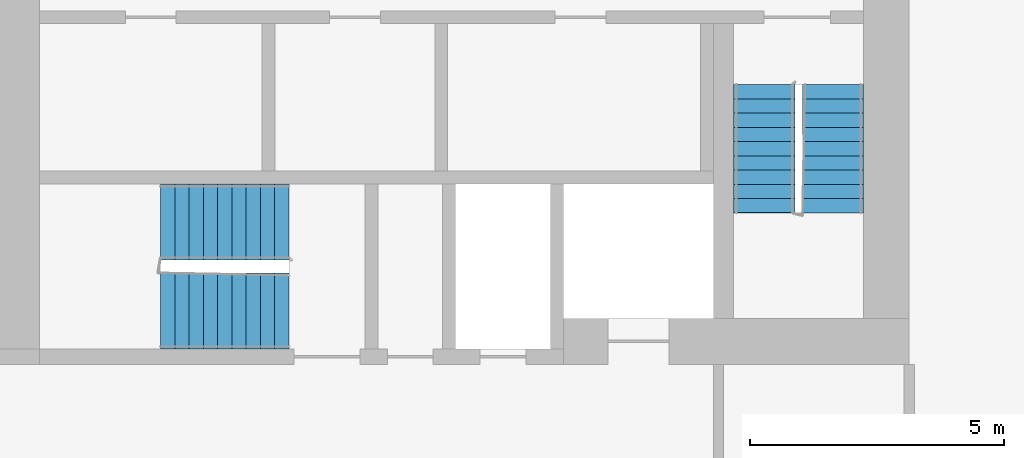
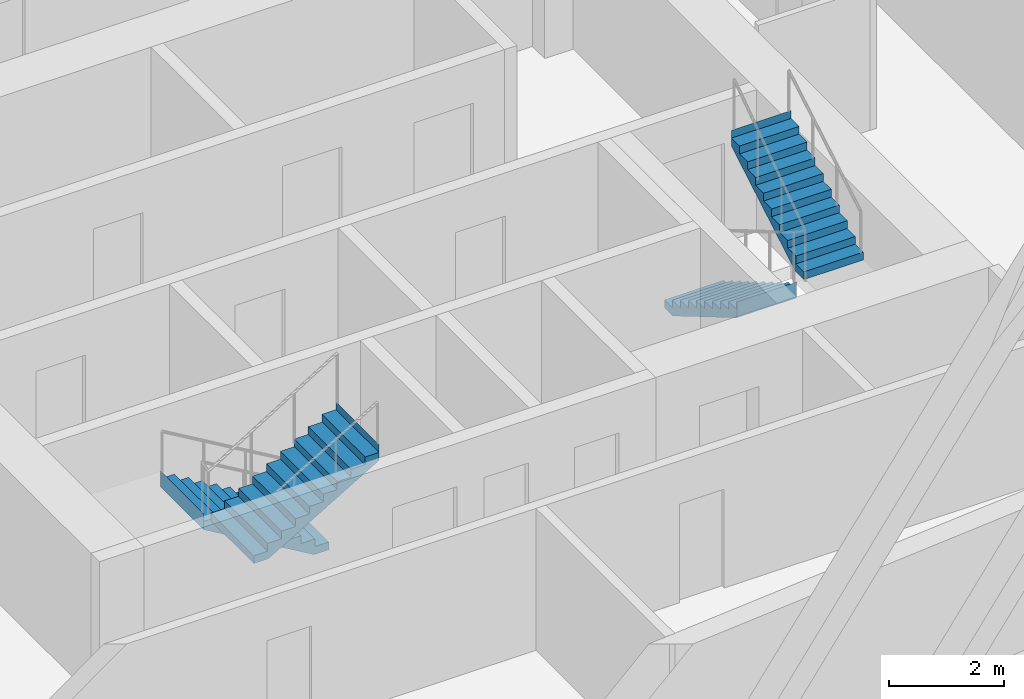
# One storey, part 9 of 13: 4 stair flights, 2 elements without a shape of their own.
"""IFC4 building model written with IfcOpenShell, lengths in metres."""

from ifc_helpers import new_model, si_unit, direction, frame, origin, place, context, subcontext, project, spatial, faceted_brep, material, type_object, element, aggregate, save


model = new_model("IFC4")

# Units and contexts
model_context = context("Model", 3, precision=1e-05, world=origin(), true_north=direction((0.0, 1.0)))
body_context = subcontext(model_context, "Body", "Model", "MODEL_VIEW")
ifc_project = project(units=[si_unit("LENGTHUNIT", "METRE"), si_unit("AREAUNIT", "SQUARE_METRE"), si_unit("VOLUMEUNIT", "CUBIC_METRE"), si_unit("PLANEANGLEUNIT", "RADIAN"), si_unit("MASSUNIT", "GRAM", prefix="KILO")], contexts=[model_context])

# Site, building, storey
site_placement = place(None, origin())
site = spatial("IfcSite", under=ifc_project, at=site_placement, CompositionType="ELEMENT")
building_placement = place(site_placement, origin())
building = spatial("IfcBuilding", under=site, at=building_placement, Name="Kajstack Hotel Tower", CompositionType="ELEMENT")
storey_placement = place(building_placement, frame((0.0, 0.0, 298.199951171875)))
storey = spatial("IfcBuildingStorey", under=building, at=storey_placement, Name="L75", CompositionType="ELEMENT", Elevation=298.199951171875)

# Stair, stair flights
ifc_material = material(Name="Concrete C40/50", Category="concrete")
stair_type_1 = type_object("IfcStairType", Name="Exit stair 1200", PredefinedType="HALF_TURN_STAIR", material=ifc_material)
stair_1_placement = place(storey_placement, origin())
stair_1 = element("IfcStair", 1, at=stair_1_placement, inside=storey, type_object=stair_type_1, Name="L75 stair W2", PredefinedType="HALF_TURN_STAIR")
stair_flight_type_1 = type_object("IfcStairFlightType", Name="Exit stair flight 1200", PredefinedType="STRAIGHT", material=ifc_material)
stair_flight_1_placement = place(storey_placement, frame((-16.35009765625, -10.0, 0.0), z_axis=(0.0, 0.0, 1.0), x_axis=(0.0, -1.0, 0.0)))
stair_flight_1 = element("IfcStairFlight", 2, at=stair_flight_1_placement, type_object=stair_flight_type_1, Name="W2 flight 1", NumberOfRisers=10, NumberOfTreads=9, PredefinedType="STRAIGHT", RiserHeight=0.165, TreadLength=0.28, context=body_context, shape_type="Brep", body=[
    faceted_brep([(0.295654296875, -0.60009765625, 0.0), (2.5205078125, -0.60009765625, 1.31103515625), (2.5205078125, -0.60009765625, 1.64990234375), (2.52001953125, -0.60009765625, 1.64990234375), (2.52001953125, -0.60009765625, 1.485107421875), (2.239990234375, -0.60009765625, 1.485107421875), (2.239990234375, -0.60009765625, 1.320068359375), (1.9599609375, -0.60009765625, 1.320068359375), (1.9599609375, -0.60009765625, 1.155029296875), (1.679931640625, -0.60009765625, 1.155029296875), (1.679931640625, -0.60009765625, 0.989990234375), (1.39990234375, -0.60009765625, 0.989990234375), (1.39990234375, -0.60009765625, 0.824951171875), (1.1201171875, -0.60009765625, 0.824951171875), (1.1201171875, -0.60009765625, 0.659912109375), (0.840087890625, -0.60009765625, 0.659912109375), (0.840087890625, -0.60009765625, 0.4951171875), (0.56005859375, -0.60009765625, 0.4951171875), (0.56005859375, -0.60009765625, 0.330078125), (0.280029296875, -0.60009765625, 0.330078125), (0.280029296875, -0.60009765625, 0.1650390625), (-0.00048828125, -0.60009765625, 0.1650390625), (-0.00048828125, -0.60009765625, 0.0), (-0.00048828125, 0.60009765625, 0.0), (-0.00048828125, 0.60009765625, 0.1650390625), (0.280029296875, 0.60009765625, 0.1650390625), (0.280029296875, 0.60009765625, 0.330078125), (0.56005859375, 0.60009765625, 0.330078125), (0.56005859375, 0.60009765625, 0.4951171875), (0.840087890625, 0.60009765625, 0.4951171875), (0.840087890625, 0.60009765625, 0.659912109375), (1.1201171875, 0.60009765625, 0.659912109375), (1.1201171875, 0.60009765625, 0.824951171875), (1.39990234375, 0.60009765625, 0.824951171875), (1.39990234375, 0.60009765625, 0.989990234375), (1.679931640625, 0.60009765625, 0.989990234375), (1.679931640625, 0.60009765625, 1.155029296875), (1.9599609375, 0.60009765625, 1.155029296875), (1.9599609375, 0.60009765625, 1.320068359375), (2.239990234375, 0.60009765625, 1.320068359375), (2.239990234375, 0.60009765625, 1.485107421875), (2.52001953125, 0.60009765625, 1.485107421875), (2.52001953125, 0.60009765625, 1.64990234375), (2.5205078125, 0.60009765625, 1.64990234375), (2.5205078125, 0.60009765625, 1.31103515625), (0.295654296875, 0.60009765625, 0.0), (-0.00048828125, -0.300048828125, 0.1650390625), (-0.00048828125, 0.0, 0.1650390625), (-0.00048828125, 0.300048828125, 0.1650390625), (-0.00048828125, 0.300048828125, 0.0), (-0.00048828125, 0.0, 0.0), (-0.00048828125, -0.300048828125, 0.0), (0.280029296875, -0.300048828125, 0.1650390625), (0.280029296875, 0.0, 0.1650390625), (0.280029296875, 0.300048828125, 0.1650390625), (0.280029296875, -0.300048828125, 0.330078125), (0.280029296875, 0.0, 0.330078125), (0.280029296875, 0.300048828125, 0.330078125), (0.56005859375, -0.300048828125, 0.330078125), (0.56005859375, 0.0, 0.330078125), (0.56005859375, 0.300048828125, 0.330078125), (0.56005859375, -0.300048828125, 0.4951171875), (0.56005859375, 0.0, 0.4951171875), (0.56005859375, 0.300048828125, 0.4951171875), (0.840087890625, -0.300048828125, 0.4951171875), (0.840087890625, 0.0, 0.4951171875), (0.840087890625, 0.300048828125, 0.4951171875), (0.840087890625, -0.300048828125, 0.659912109375), (0.840087890625, 0.0, 0.659912109375), (0.840087890625, 0.300048828125, 0.659912109375), (1.1201171875, -0.300048828125, 0.659912109375), (1.1201171875, 0.0, 0.659912109375), (1.1201171875, 0.300048828125, 0.659912109375), (1.1201171875, -0.300048828125, 0.824951171875), (1.1201171875, 0.0, 0.824951171875), (1.1201171875, 0.300048828125, 0.824951171875), (1.39990234375, -0.300048828125, 0.824951171875), (1.39990234375, 0.0, 0.824951171875), (1.39990234375, 0.300048828125, 0.824951171875), (1.39990234375, -0.300048828125, 0.989990234375), (1.39990234375, 0.0, 0.989990234375), (1.39990234375, 0.300048828125, 0.989990234375), (1.679931640625, -0.300048828125, 0.989990234375), (1.679931640625, 0.0, 0.989990234375), (1.679931640625, 0.300048828125, 0.989990234375), (1.679931640625, -0.300048828125, 1.155029296875), (1.679931640625, 0.0, 1.155029296875), (1.679931640625, 0.300048828125, 1.155029296875), (1.9599609375, -0.300048828125, 1.155029296875), (1.9599609375, 0.0, 1.155029296875), (1.9599609375, 0.300048828125, 1.155029296875), (1.9599609375, -0.300048828125, 1.320068359375), (1.9599609375, 0.0, 1.320068359375), (1.9599609375, 0.300048828125, 1.320068359375), (2.239990234375, -0.300048828125, 1.320068359375), (2.239990234375, 0.0, 1.320068359375), (2.239990234375, 0.300048828125, 1.320068359375), (2.239990234375, -0.300048828125, 1.485107421875), (2.239990234375, 0.0, 1.485107421875), (2.239990234375, 0.300048828125, 1.485107421875), (2.52001953125, -0.300048828125, 1.485107421875), (2.52001953125, 0.0, 1.485107421875), (2.52001953125, 0.300048828125, 1.485107421875), (2.52001953125, -0.300048828125, 1.64990234375), (2.52001953125, 0.0, 1.64990234375), (2.52001953125, 0.300048828125, 1.64990234375), (2.5205078125, -0.300048828125, 1.64990234375), (2.5205078125, 0.0, 1.64990234375), (2.5205078125, 0.300048828125, 1.64990234375), (2.5205078125, -0.300048828125, 1.31103515625), (2.5205078125, 0.0, 1.31103515625), (2.5205078125, 0.300048828125, 1.31103515625), (0.295654296875, -0.300048828125, 0.0), (0.295654296875, 0.0, 0.0), (0.295654296875, 0.300048828125, 0.0)], [[[0, 1, 2, 3, 4, 5, 6, 7, 8, 9, 10, 11, 12, 13, 14, 15, 16, 17, 18, 19, 20, 21, 22]], [[23, 24, 25, 26, 27, 28, 29, 30, 31, 32, 33, 34, 35, 36, 37, 38, 39, 40, 41, 42, 43, 44, 45]], [[21, 46, 47, 48, 24, 23, 49, 50, 51, 22]], [[20, 52, 53, 54, 25, 24, 48, 47, 46, 21]], [[19, 55, 56, 57, 26, 25, 54, 53, 52, 20]], [[18, 58, 59, 60, 27, 26, 57, 56, 55, 19]], [[17, 61, 62, 63, 28, 27, 60, 59, 58, 18]], [[16, 64, 65, 66, 29, 28, 63, 62, 61, 17]], [[15, 67, 68, 69, 30, 29, 66, 65, 64, 16]], [[14, 70, 71, 72, 31, 30, 69, 68, 67, 15]], [[13, 73, 74, 75, 32, 31, 72, 71, 70, 14]], [[12, 76, 77, 78, 33, 32, 75, 74, 73, 13]], [[11, 79, 80, 81, 34, 33, 78, 77, 76, 12]], [[10, 82, 83, 84, 35, 34, 81, 80, 79, 11]], [[9, 85, 86, 87, 36, 35, 84, 83, 82, 10]], [[8, 88, 89, 90, 37, 36, 87, 86, 85, 9]], [[7, 91, 92, 93, 38, 37, 90, 89, 88, 8]], [[6, 94, 95, 96, 39, 38, 93, 92, 91, 7]], [[5, 97, 98, 99, 40, 39, 96, 95, 94, 6]], [[4, 100, 101, 102, 41, 40, 99, 98, 97, 5]], [[3, 103, 104, 105, 42, 41, 102, 101, 100, 4]], [[2, 106, 107, 108, 43, 42, 105, 104, 103, 3]], [[1, 109, 110, 111, 44, 43, 108, 107, 106, 2]], [[0, 112, 113, 114, 45, 44, 111, 110, 109, 1]], [[22, 51, 50, 49, 23, 45, 114, 113, 112, 0]]]),
])
stair_flight_2_placement = place(storey_placement, frame((-15.0, -12.52001953125, 1.650146484375), z_axis=(0.0, 0.0, 1.0), x_axis=(0.0, 1.0, 0.0)))
stair_flight_2 = element("IfcStairFlight", 3, at=stair_flight_2_placement, type_object=stair_flight_type_1, Name="W2 flight 2", NumberOfRisers=10, NumberOfTreads=9, PredefinedType="STRAIGHT", RiserHeight=0.165, TreadLength=0.28, context=body_context, shape_type="Brep", body=[
    faceted_brep([(0.295654296875, -0.60009765625, 0.0), (2.5205078125, -0.60009765625, 1.31103515625), (2.5205078125, -0.60009765625, 1.64990234375), (2.52001953125, -0.60009765625, 1.64990234375), (2.52001953125, -0.60009765625, 1.485107421875), (2.239990234375, -0.60009765625, 1.485107421875), (2.239990234375, -0.60009765625, 1.320068359375), (1.9599609375, -0.60009765625, 1.320068359375), (1.9599609375, -0.60009765625, 1.155029296875), (1.679931640625, -0.60009765625, 1.155029296875), (1.679931640625, -0.60009765625, 0.989990234375), (1.39990234375, -0.60009765625, 0.989990234375), (1.39990234375, -0.60009765625, 0.824951171875), (1.1201171875, -0.60009765625, 0.824951171875), (1.1201171875, -0.60009765625, 0.659912109375), (0.840087890625, -0.60009765625, 0.659912109375), (0.840087890625, -0.60009765625, 0.4951171875), (0.56005859375, -0.60009765625, 0.4951171875), (0.56005859375, -0.60009765625, 0.330078125), (0.280029296875, -0.60009765625, 0.330078125), (0.280029296875, -0.60009765625, 0.1650390625), (-0.00048828125, -0.60009765625, 0.1650390625), (-0.00048828125, -0.60009765625, 0.0), (-0.00048828125, 0.60009765625, 0.0), (-0.00048828125, 0.60009765625, 0.1650390625), (0.280029296875, 0.60009765625, 0.1650390625), (0.280029296875, 0.60009765625, 0.330078125), (0.56005859375, 0.60009765625, 0.330078125), (0.56005859375, 0.60009765625, 0.4951171875), (0.840087890625, 0.60009765625, 0.4951171875), (0.840087890625, 0.60009765625, 0.659912109375), (1.1201171875, 0.60009765625, 0.659912109375), (1.1201171875, 0.60009765625, 0.824951171875), (1.39990234375, 0.60009765625, 0.824951171875), (1.39990234375, 0.60009765625, 0.989990234375), (1.679931640625, 0.60009765625, 0.989990234375), (1.679931640625, 0.60009765625, 1.155029296875), (1.9599609375, 0.60009765625, 1.155029296875), (1.9599609375, 0.60009765625, 1.320068359375), (2.239990234375, 0.60009765625, 1.320068359375), (2.239990234375, 0.60009765625, 1.485107421875), (2.52001953125, 0.60009765625, 1.485107421875), (2.52001953125, 0.60009765625, 1.64990234375), (2.5205078125, 0.60009765625, 1.64990234375), (2.5205078125, 0.60009765625, 1.31103515625), (0.295654296875, 0.60009765625, 0.0), (-0.00048828125, -0.300048828125, 0.1650390625), (-0.00048828125, 0.0, 0.1650390625), (-0.00048828125, 0.300048828125, 0.1650390625), (-0.00048828125, 0.300048828125, 0.0), (-0.00048828125, 0.0, 0.0), (-0.00048828125, -0.300048828125, 0.0), (0.280029296875, -0.300048828125, 0.1650390625), (0.280029296875, 0.0, 0.1650390625), (0.280029296875, 0.300048828125, 0.1650390625), (0.280029296875, -0.300048828125, 0.330078125), (0.280029296875, 0.0, 0.330078125), (0.280029296875, 0.300048828125, 0.330078125), (0.56005859375, -0.300048828125, 0.330078125), (0.56005859375, 0.0, 0.330078125), (0.56005859375, 0.300048828125, 0.330078125), (0.56005859375, -0.300048828125, 0.4951171875), (0.56005859375, 0.0, 0.4951171875), (0.56005859375, 0.300048828125, 0.4951171875), (0.840087890625, -0.300048828125, 0.4951171875), (0.840087890625, 0.0, 0.4951171875), (0.840087890625, 0.300048828125, 0.4951171875), (0.840087890625, -0.300048828125, 0.659912109375), (0.840087890625, 0.0, 0.659912109375), (0.840087890625, 0.300048828125, 0.659912109375), (1.1201171875, -0.300048828125, 0.659912109375), (1.1201171875, 0.0, 0.659912109375), (1.1201171875, 0.300048828125, 0.659912109375), (1.1201171875, -0.300048828125, 0.824951171875), (1.1201171875, 0.0, 0.824951171875), (1.1201171875, 0.300048828125, 0.824951171875), (1.39990234375, -0.300048828125, 0.824951171875), (1.39990234375, 0.0, 0.824951171875), (1.39990234375, 0.300048828125, 0.824951171875), (1.39990234375, -0.300048828125, 0.989990234375), (1.39990234375, 0.0, 0.989990234375), (1.39990234375, 0.300048828125, 0.989990234375), (1.679931640625, -0.300048828125, 0.989990234375), (1.679931640625, 0.0, 0.989990234375), (1.679931640625, 0.300048828125, 0.989990234375), (1.679931640625, -0.300048828125, 1.155029296875), (1.679931640625, 0.0, 1.155029296875), (1.679931640625, 0.300048828125, 1.155029296875), (1.9599609375, -0.300048828125, 1.155029296875), (1.9599609375, 0.0, 1.155029296875), (1.9599609375, 0.300048828125, 1.155029296875), (1.9599609375, -0.300048828125, 1.320068359375), (1.9599609375, 0.0, 1.320068359375), (1.9599609375, 0.300048828125, 1.320068359375), (2.239990234375, -0.300048828125, 1.320068359375), (2.239990234375, 0.0, 1.320068359375), (2.239990234375, 0.300048828125, 1.320068359375), (2.239990234375, -0.300048828125, 1.485107421875), (2.239990234375, 0.0, 1.485107421875), (2.239990234375, 0.300048828125, 1.485107421875), (2.52001953125, -0.300048828125, 1.485107421875), (2.52001953125, 0.0, 1.485107421875), (2.52001953125, 0.300048828125, 1.485107421875), (2.52001953125, -0.300048828125, 1.64990234375), (2.52001953125, 0.0, 1.64990234375), (2.52001953125, 0.300048828125, 1.64990234375), (2.5205078125, -0.300048828125, 1.64990234375), (2.5205078125, 0.0, 1.64990234375), (2.5205078125, 0.300048828125, 1.64990234375), (2.5205078125, -0.300048828125, 1.31103515625), (2.5205078125, 0.0, 1.31103515625), (2.5205078125, 0.300048828125, 1.31103515625), (0.295654296875, -0.300048828125, 0.0), (0.295654296875, 0.0, 0.0), (0.295654296875, 0.300048828125, 0.0)], [[[0, 1, 2, 3, 4, 5, 6, 7, 8, 9, 10, 11, 12, 13, 14, 15, 16, 17, 18, 19, 20, 21, 22]], [[23, 24, 25, 26, 27, 28, 29, 30, 31, 32, 33, 34, 35, 36, 37, 38, 39, 40, 41, 42, 43, 44, 45]], [[21, 46, 47, 48, 24, 23, 49, 50, 51, 22]], [[20, 52, 53, 54, 25, 24, 48, 47, 46, 21]], [[19, 55, 56, 57, 26, 25, 54, 53, 52, 20]], [[18, 58, 59, 60, 27, 26, 57, 56, 55, 19]], [[17, 61, 62, 63, 28, 27, 60, 59, 58, 18]], [[16, 64, 65, 66, 29, 28, 63, 62, 61, 17]], [[15, 67, 68, 69, 30, 29, 66, 65, 64, 16]], [[14, 70, 71, 72, 31, 30, 69, 68, 67, 15]], [[13, 73, 74, 75, 32, 31, 72, 71, 70, 14]], [[12, 76, 77, 78, 33, 32, 75, 74, 73, 13]], [[11, 79, 80, 81, 34, 33, 78, 77, 76, 12]], [[10, 82, 83, 84, 35, 34, 81, 80, 79, 11]], [[9, 85, 86, 87, 36, 35, 84, 83, 82, 10]], [[8, 88, 89, 90, 37, 36, 87, 86, 85, 9]], [[7, 91, 92, 93, 38, 37, 90, 89, 88, 8]], [[6, 94, 95, 96, 39, 38, 93, 92, 91, 7]], [[5, 97, 98, 99, 40, 39, 96, 95, 94, 6]], [[4, 100, 101, 102, 41, 40, 99, 98, 97, 5]], [[3, 103, 104, 105, 42, 41, 102, 101, 100, 4]], [[2, 106, 107, 108, 43, 42, 105, 104, 103, 3]], [[1, 109, 110, 111, 44, 43, 108, 107, 106, 2]], [[0, 112, 113, 114, 45, 44, 111, 110, 109, 1]], [[22, 51, 50, 49, 23, 45, 114, 113, 112, 0]]]),
])
aggregate(stair_1, [stair_flight_1, stair_flight_2])

stair_type_2 = type_object("IfcStairType", Name="Exit stair 1500", PredefinedType="HALF_TURN_STAIR", material=ifc_material)
stair_2_placement = place(storey_placement, origin())
stair_2 = element("IfcStair", 4, at=stair_2_placement, inside=storey, type_object=stair_type_2, Name="L75 stair W3", PredefinedType="HALF_TURN_STAIR")
stair_flight_type_2 = type_object("IfcStairFlightType", Name="Exit stair flight 1500", PredefinedType="STRAIGHT", material=ifc_material)
stair_flight_3_placement = place(storey_placement, frame((-25.699951171875, -12.699951171875, 0.0), z_axis=(0.0, 0.0, 1.0), x_axis=(-1.0, 0.0, 0.0)))
stair_flight_3 = element("IfcStairFlight", 5, at=stair_flight_3_placement, type_object=stair_flight_type_2, Name="W3 flight 1", NumberOfRisers=10, NumberOfTreads=9, PredefinedType="STRAIGHT", RiserHeight=0.165, TreadLength=0.28, context=body_context, shape_type="Brep", body=[
    faceted_brep([(0.295654296875, -0.75, 0.0), (2.5205078125, -0.75, 1.31103515625), (2.5205078125, -0.75, 1.64990234375), (2.52001953125, -0.75, 1.64990234375), (2.52001953125, -0.75, 1.485107421875), (2.239990234375, -0.75, 1.485107421875), (2.239990234375, -0.75, 1.320068359375), (1.9599609375, -0.75, 1.320068359375), (1.9599609375, -0.75, 1.155029296875), (1.679931640625, -0.75, 1.155029296875), (1.679931640625, -0.75, 0.989990234375), (1.39990234375, -0.75, 0.989990234375), (1.39990234375, -0.75, 0.824951171875), (1.1201171875, -0.75, 0.824951171875), (1.1201171875, -0.75, 0.659912109375), (0.840087890625, -0.75, 0.659912109375), (0.840087890625, -0.75, 0.4951171875), (0.56005859375, -0.75, 0.4951171875), (0.56005859375, -0.75, 0.330078125), (0.280029296875, -0.75, 0.330078125), (0.280029296875, -0.75, 0.1650390625), (-0.00048828125, -0.75, 0.1650390625), (-0.00048828125, -0.75, 0.0), (-0.00048828125, 0.75, 0.0), (-0.00048828125, 0.75, 0.1650390625), (0.280029296875, 0.75, 0.1650390625), (0.280029296875, 0.75, 0.330078125), (0.56005859375, 0.75, 0.330078125), (0.56005859375, 0.75, 0.4951171875), (0.840087890625, 0.75, 0.4951171875), (0.840087890625, 0.75, 0.659912109375), (1.1201171875, 0.75, 0.659912109375), (1.1201171875, 0.75, 0.824951171875), (1.39990234375, 0.75, 0.824951171875), (1.39990234375, 0.75, 0.989990234375), (1.679931640625, 0.75, 0.989990234375), (1.679931640625, 0.75, 1.155029296875), (1.9599609375, 0.75, 1.155029296875), (1.9599609375, 0.75, 1.320068359375), (2.239990234375, 0.75, 1.320068359375), (2.239990234375, 0.75, 1.485107421875), (2.52001953125, 0.75, 1.485107421875), (2.52001953125, 0.75, 1.64990234375), (2.5205078125, 0.75, 1.64990234375), (2.5205078125, 0.75, 1.31103515625), (0.295654296875, 0.75, 0.0), (-0.00048828125, -0.375, 0.1650390625), (-0.00048828125, 0.0, 0.1650390625), (-0.00048828125, 0.375, 0.1650390625), (-0.00048828125, 0.375, 0.0), (-0.00048828125, 0.0, 0.0), (-0.00048828125, -0.375, 0.0), (0.280029296875, -0.375, 0.1650390625), (0.280029296875, 0.0, 0.1650390625), (0.280029296875, 0.375, 0.1650390625), (0.280029296875, -0.375, 0.330078125), (0.280029296875, 0.0, 0.330078125), (0.280029296875, 0.375, 0.330078125), (0.56005859375, -0.375, 0.330078125), (0.56005859375, 0.0, 0.330078125), (0.56005859375, 0.375, 0.330078125), (0.56005859375, -0.375, 0.4951171875), (0.56005859375, 0.0, 0.4951171875), (0.56005859375, 0.375, 0.4951171875), (0.840087890625, -0.375, 0.4951171875), (0.840087890625, 0.0, 0.4951171875), (0.840087890625, 0.375, 0.4951171875), (0.840087890625, -0.375, 0.659912109375), (0.840087890625, 0.0, 0.659912109375), (0.840087890625, 0.375, 0.659912109375), (1.1201171875, -0.375, 0.659912109375), (1.1201171875, 0.0, 0.659912109375), (1.1201171875, 0.375, 0.659912109375), (1.1201171875, -0.375, 0.824951171875), (1.1201171875, 0.0, 0.824951171875), (1.1201171875, 0.375, 0.824951171875), (1.39990234375, -0.375, 0.824951171875), (1.39990234375, 0.0, 0.824951171875), (1.39990234375, 0.375, 0.824951171875), (1.39990234375, -0.375, 0.989990234375), (1.39990234375, 0.0, 0.989990234375), (1.39990234375, 0.375, 0.989990234375), (1.679931640625, -0.375, 0.989990234375), (1.679931640625, 0.0, 0.989990234375), (1.679931640625, 0.375, 0.989990234375), (1.679931640625, -0.375, 1.155029296875), (1.679931640625, 0.0, 1.155029296875), (1.679931640625, 0.375, 1.155029296875), (1.9599609375, -0.375, 1.155029296875), (1.9599609375, 0.0, 1.155029296875), (1.9599609375, 0.375, 1.155029296875), (1.9599609375, -0.375, 1.320068359375), (1.9599609375, 0.0, 1.320068359375), (1.9599609375, 0.375, 1.320068359375), (2.239990234375, -0.375, 1.320068359375), (2.239990234375, 0.0, 1.320068359375), (2.239990234375, 0.375, 1.320068359375), (2.239990234375, -0.375, 1.485107421875), (2.239990234375, 0.0, 1.485107421875), (2.239990234375, 0.375, 1.485107421875), (2.52001953125, -0.375, 1.485107421875), (2.52001953125, 0.0, 1.485107421875), (2.52001953125, 0.375, 1.485107421875), (2.52001953125, -0.375, 1.64990234375), (2.52001953125, 0.0, 1.64990234375), (2.52001953125, 0.375, 1.64990234375), (2.5205078125, -0.375, 1.64990234375), (2.5205078125, 0.0, 1.64990234375), (2.5205078125, 0.375, 1.64990234375), (2.5205078125, -0.375, 1.31103515625), (2.5205078125, 0.0, 1.31103515625), (2.5205078125, 0.375, 1.31103515625), (0.295654296875, -0.375, 0.0), (0.295654296875, 0.0, 0.0), (0.295654296875, 0.375, 0.0)], [[[0, 1, 2, 3, 4, 5, 6, 7, 8, 9, 10, 11, 12, 13, 14, 15, 16, 17, 18, 19, 20, 21, 22]], [[23, 24, 25, 26, 27, 28, 29, 30, 31, 32, 33, 34, 35, 36, 37, 38, 39, 40, 41, 42, 43, 44, 45]], [[21, 46, 47, 48, 24, 23, 49, 50, 51, 22]], [[20, 52, 53, 54, 25, 24, 48, 47, 46, 21]], [[19, 55, 56, 57, 26, 25, 54, 53, 52, 20]], [[18, 58, 59, 60, 27, 26, 57, 56, 55, 19]], [[17, 61, 62, 63, 28, 27, 60, 59, 58, 18]], [[16, 64, 65, 66, 29, 28, 63, 62, 61, 17]], [[15, 67, 68, 69, 30, 29, 66, 65, 64, 16]], [[14, 70, 71, 72, 31, 30, 69, 68, 67, 15]], [[13, 73, 74, 75, 32, 31, 72, 71, 70, 14]], [[12, 76, 77, 78, 33, 32, 75, 74, 73, 13]], [[11, 79, 80, 81, 34, 33, 78, 77, 76, 12]], [[10, 82, 83, 84, 35, 34, 81, 80, 79, 11]], [[9, 85, 86, 87, 36, 35, 84, 83, 82, 10]], [[8, 88, 89, 90, 37, 36, 87, 86, 85, 9]], [[7, 91, 92, 93, 38, 37, 90, 89, 88, 8]], [[6, 94, 95, 96, 39, 38, 93, 92, 91, 7]], [[5, 97, 98, 99, 40, 39, 96, 95, 94, 6]], [[4, 100, 101, 102, 41, 40, 99, 98, 97, 5]], [[3, 103, 104, 105, 42, 41, 102, 101, 100, 4]], [[2, 106, 107, 108, 43, 42, 105, 104, 103, 3]], [[1, 109, 110, 111, 44, 43, 108, 107, 106, 2]], [[0, 112, 113, 114, 45, 44, 111, 110, 109, 1]], [[22, 51, 50, 49, 23, 45, 114, 113, 112, 0]]]),
])
stair_flight_4_placement = place(storey_placement, frame((-28.219970703125, -14.449951171875, 1.650146484375), z_axis=(0.0, 0.0, 1.0), x_axis=(1.0, 0.0, 0.0)))
stair_flight_4 = element("IfcStairFlight", 6, at=stair_flight_4_placement, type_object=stair_flight_type_2, Name="W3 flight 2", NumberOfRisers=10, NumberOfTreads=9, PredefinedType="STRAIGHT", RiserHeight=0.165, TreadLength=0.28, context=body_context, shape_type="Brep", body=[
    faceted_brep([(0.295654296875, -0.75, 0.0), (2.5205078125, -0.75, 1.31103515625), (2.5205078125, -0.75, 1.64990234375), (2.52001953125, -0.75, 1.64990234375), (2.52001953125, -0.75, 1.485107421875), (2.239990234375, -0.75, 1.485107421875), (2.239990234375, -0.75, 1.320068359375), (1.9599609375, -0.75, 1.320068359375), (1.9599609375, -0.75, 1.155029296875), (1.679931640625, -0.75, 1.155029296875), (1.679931640625, -0.75, 0.989990234375), (1.39990234375, -0.75, 0.989990234375), (1.39990234375, -0.75, 0.824951171875), (1.1201171875, -0.75, 0.824951171875), (1.1201171875, -0.75, 0.659912109375), (0.840087890625, -0.75, 0.659912109375), (0.840087890625, -0.75, 0.4951171875), (0.56005859375, -0.75, 0.4951171875), (0.56005859375, -0.75, 0.330078125), (0.280029296875, -0.75, 0.330078125), (0.280029296875, -0.75, 0.1650390625), (-0.00048828125, -0.75, 0.1650390625), (-0.00048828125, -0.75, 0.0), (-0.00048828125, 0.75, 0.0), (-0.00048828125, 0.75, 0.1650390625), (0.280029296875, 0.75, 0.1650390625), (0.280029296875, 0.75, 0.330078125), (0.56005859375, 0.75, 0.330078125), (0.56005859375, 0.75, 0.4951171875), (0.840087890625, 0.75, 0.4951171875), (0.840087890625, 0.75, 0.659912109375), (1.1201171875, 0.75, 0.659912109375), (1.1201171875, 0.75, 0.824951171875), (1.39990234375, 0.75, 0.824951171875), (1.39990234375, 0.75, 0.989990234375), (1.679931640625, 0.75, 0.989990234375), (1.679931640625, 0.75, 1.155029296875), (1.9599609375, 0.75, 1.155029296875), (1.9599609375, 0.75, 1.320068359375), (2.239990234375, 0.75, 1.320068359375), (2.239990234375, 0.75, 1.485107421875), (2.52001953125, 0.75, 1.485107421875), (2.52001953125, 0.75, 1.64990234375), (2.5205078125, 0.75, 1.64990234375), (2.5205078125, 0.75, 1.31103515625), (0.295654296875, 0.75, 0.0), (-0.00048828125, -0.375, 0.1650390625), (-0.00048828125, 0.0, 0.1650390625), (-0.00048828125, 0.375, 0.1650390625), (-0.00048828125, 0.375, 0.0), (-0.00048828125, 0.0, 0.0), (-0.00048828125, -0.375, 0.0), (0.280029296875, -0.375, 0.1650390625), (0.280029296875, 0.0, 0.1650390625), (0.280029296875, 0.375, 0.1650390625), (0.280029296875, -0.375, 0.330078125), (0.280029296875, 0.0, 0.330078125), (0.280029296875, 0.375, 0.330078125), (0.56005859375, -0.375, 0.330078125), (0.56005859375, 0.0, 0.330078125), (0.56005859375, 0.375, 0.330078125), (0.56005859375, -0.375, 0.4951171875), (0.56005859375, 0.0, 0.4951171875), (0.56005859375, 0.375, 0.4951171875), (0.840087890625, -0.375, 0.4951171875), (0.840087890625, 0.0, 0.4951171875), (0.840087890625, 0.375, 0.4951171875), (0.840087890625, -0.375, 0.659912109375), (0.840087890625, 0.0, 0.659912109375), (0.840087890625, 0.375, 0.659912109375), (1.1201171875, -0.375, 0.659912109375), (1.1201171875, 0.0, 0.659912109375), (1.1201171875, 0.375, 0.659912109375), (1.1201171875, -0.375, 0.824951171875), (1.1201171875, 0.0, 0.824951171875), (1.1201171875, 0.375, 0.824951171875), (1.39990234375, -0.375, 0.824951171875), (1.39990234375, 0.0, 0.824951171875), (1.39990234375, 0.375, 0.824951171875), (1.39990234375, -0.375, 0.989990234375), (1.39990234375, 0.0, 0.989990234375), (1.39990234375, 0.375, 0.989990234375), (1.679931640625, -0.375, 0.989990234375), (1.679931640625, 0.0, 0.989990234375), (1.679931640625, 0.375, 0.989990234375), (1.679931640625, -0.375, 1.155029296875), (1.679931640625, 0.0, 1.155029296875), (1.679931640625, 0.375, 1.155029296875), (1.9599609375, -0.375, 1.155029296875), (1.9599609375, 0.0, 1.155029296875), (1.9599609375, 0.375, 1.155029296875), (1.9599609375, -0.375, 1.320068359375), (1.9599609375, 0.0, 1.320068359375), (1.9599609375, 0.375, 1.320068359375), (2.239990234375, -0.375, 1.320068359375), (2.239990234375, 0.0, 1.320068359375), (2.239990234375, 0.375, 1.320068359375), (2.239990234375, -0.375, 1.485107421875), (2.239990234375, 0.0, 1.485107421875), (2.239990234375, 0.375, 1.485107421875), (2.52001953125, -0.375, 1.485107421875), (2.52001953125, 0.0, 1.485107421875), (2.52001953125, 0.375, 1.485107421875), (2.52001953125, -0.375, 1.64990234375), (2.52001953125, 0.0, 1.64990234375), (2.52001953125, 0.375, 1.64990234375), (2.5205078125, -0.375, 1.64990234375), (2.5205078125, 0.0, 1.64990234375), (2.5205078125, 0.375, 1.64990234375), (2.5205078125, -0.375, 1.31103515625), (2.5205078125, 0.0, 1.31103515625), (2.5205078125, 0.375, 1.31103515625), (0.295654296875, -0.375, 0.0), (0.295654296875, 0.0, 0.0), (0.295654296875, 0.375, 0.0)], [[[0, 1, 2, 3, 4, 5, 6, 7, 8, 9, 10, 11, 12, 13, 14, 15, 16, 17, 18, 19, 20, 21, 22]], [[23, 24, 25, 26, 27, 28, 29, 30, 31, 32, 33, 34, 35, 36, 37, 38, 39, 40, 41, 42, 43, 44, 45]], [[21, 46, 47, 48, 24, 23, 49, 50, 51, 22]], [[20, 52, 53, 54, 25, 24, 48, 47, 46, 21]], [[19, 55, 56, 57, 26, 25, 54, 53, 52, 20]], [[18, 58, 59, 60, 27, 26, 57, 56, 55, 19]], [[17, 61, 62, 63, 28, 27, 60, 59, 58, 18]], [[16, 64, 65, 66, 29, 28, 63, 62, 61, 17]], [[15, 67, 68, 69, 30, 29, 66, 65, 64, 16]], [[14, 70, 71, 72, 31, 30, 69, 68, 67, 15]], [[13, 73, 74, 75, 32, 31, 72, 71, 70, 14]], [[12, 76, 77, 78, 33, 32, 75, 74, 73, 13]], [[11, 79, 80, 81, 34, 33, 78, 77, 76, 12]], [[10, 82, 83, 84, 35, 34, 81, 80, 79, 11]], [[9, 85, 86, 87, 36, 35, 84, 83, 82, 10]], [[8, 88, 89, 90, 37, 36, 87, 86, 85, 9]], [[7, 91, 92, 93, 38, 37, 90, 89, 88, 8]], [[6, 94, 95, 96, 39, 38, 93, 92, 91, 7]], [[5, 97, 98, 99, 40, 39, 96, 95, 94, 6]], [[4, 100, 101, 102, 41, 40, 99, 98, 97, 5]], [[3, 103, 104, 105, 42, 41, 102, 101, 100, 4]], [[2, 106, 107, 108, 43, 42, 105, 104, 103, 3]], [[1, 109, 110, 111, 44, 43, 108, 107, 106, 2]], [[0, 112, 113, 114, 45, 44, 111, 110, 109, 1]], [[22, 51, 50, 49, 23, 45, 114, 113, 112, 0]]]),
])
aggregate(stair_2, [stair_flight_3, stair_flight_4])

save(model, "model.ifc")
